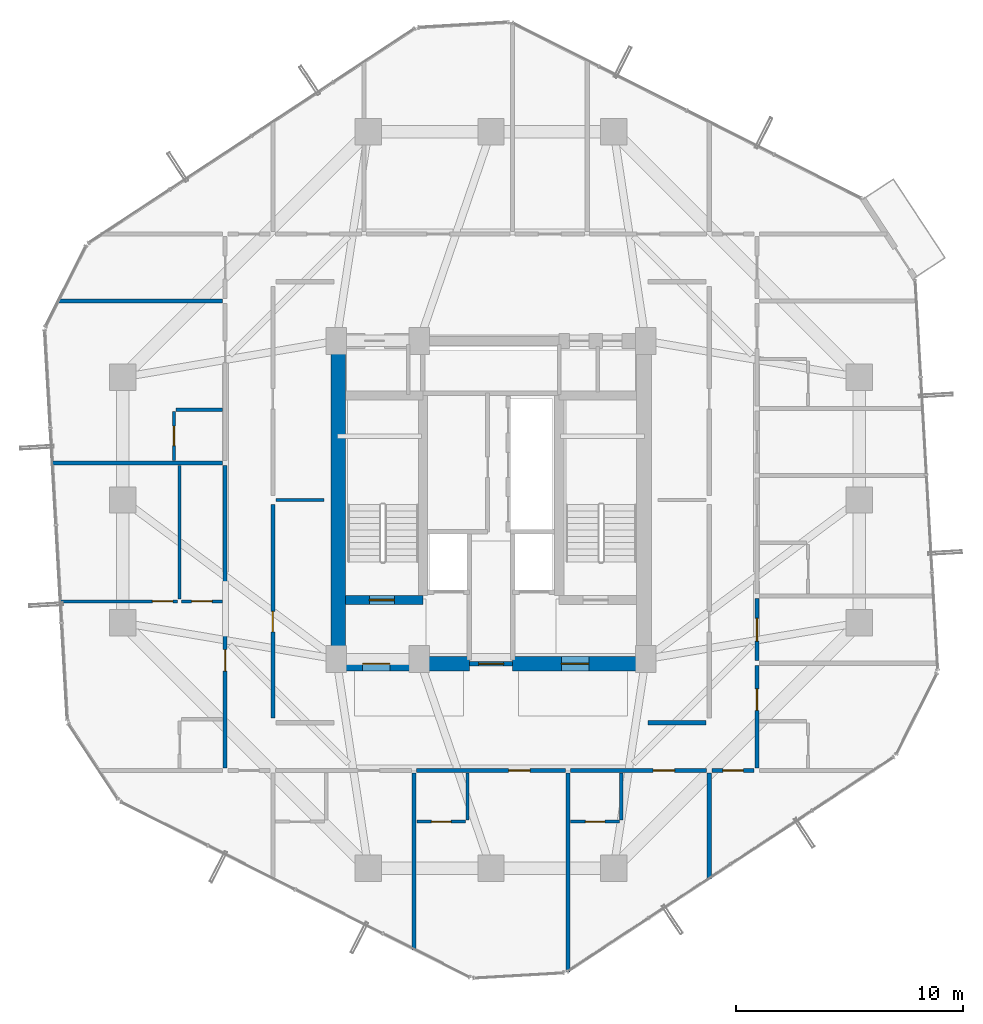
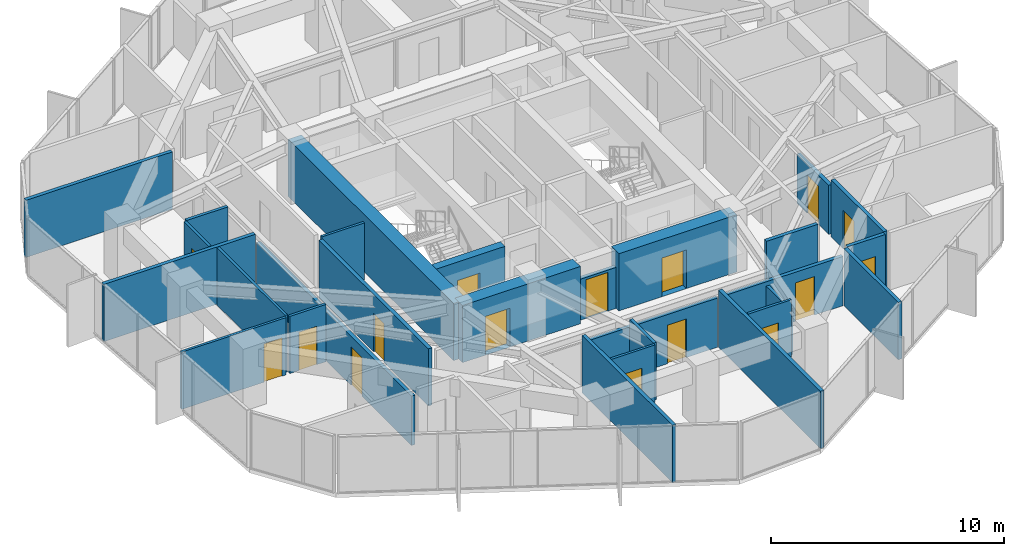
# One storey, part 28 of 33: 28 walls, 16 doors, 16 openings.
"""IFC4 building model written with IfcOpenShell, lengths in metres."""

from ifc_helpers import new_model, si_unit, direction, frame, frame_2d, origin, place, context, subcontext, project, spatial, rectangle, extrude, source, transform, mapped, material, layer, layer_set, type_object, element, fill, save


model = new_model("IFC4")

# Units and contexts
model_context = context("Model", 3, precision=1e-05, world=origin(), true_north=direction((0.0, 1.0)))
body_context = subcontext(model_context, "Body", "Model", "MODEL_VIEW")
ifc_project = project(units=[si_unit("LENGTHUNIT", "METRE"), si_unit("AREAUNIT", "SQUARE_METRE"), si_unit("VOLUMEUNIT", "CUBIC_METRE"), si_unit("PLANEANGLEUNIT", "RADIAN"), si_unit("MASSUNIT", "GRAM", prefix="KILO")], contexts=[model_context])

# Site, building, storey
site_placement = place(None, origin())
site = spatial("IfcSite", under=ifc_project, at=site_placement, CompositionType="ELEMENT")
building_placement = place(site_placement, origin())
building = spatial("IfcBuilding", under=site, at=building_placement, Name="Veraguas Prism Commons", CompositionType="ELEMENT")
storey_placement = place(building_placement, frame((0.0, 0.0, 139.25)))
storey = spatial("IfcBuildingStorey", under=building, at=storey_placement, Name="L39", CompositionType="ELEMENT", Elevation=139.25)

# Wall, opening, door
ifc_material_1 = material(Name="Concrete C50/60", Category="concrete")
ifc_layer_1 = layer(ifc_material_1, 0.39990234375, Name="Clinic and Mid Core Shear Wall RC 400", Category="concrete")
ifc_layer_set_1 = layer_set([ifc_layer_1], Name="Concrete C50/60")
wall_type_1 = type_object("IfcWallType", Name="Clinic and Mid Core Shear Wall RC 400", PredefinedType="SHEAR", material=ifc_layer_set_1)
wall_1_placement = place(storey_placement, frame((17.60009765625, 19.60009765625, 0.0), z_axis=(0.0, 0.0, 1.0), x_axis=(1.0, 0.0, 0.0)))
wall_1 = element("IfcWall", 1, at=wall_1_placement, inside=storey, type_object=wall_type_1, Name="Stair ST-01 South Shear Wall L39", PredefinedType="SHEAR", context=body_context, shape_type="SweptSolid", body=[
    extrude(rectangle(XDim=3.39990234375, YDim=0.39990234375, at=frame_2d((1.699951171875, 0.0))), origin(), (0.0, 0.0, 1.0), 3.0),
])
opening_1_placement = place(wall_1_placement, frame((1.050048828125, 0.0, 0.0)))
opening_1 = element("IfcOpeningElement", 2, at=opening_1_placement, cuts=wall_1, Name="Opening DR-05", PredefinedType="OPENING", context=body_context, shape_type="SweptSolid", body=[
    extrude(rectangle(XDim=1.10009765625, YDim=2.030029296875, at=frame_2d((0.550048828125, 1.01513671875))), frame((0.0, 0.2099609375, 0.0), z_axis=(0.0, -1.0, 0.0), x_axis=(1.0, 0.0, 0.0)), (0.0, 0.0, 1.0), 0.419921875),
])
ifc_material_2 = material(Name="Steel fire-rated door assembly", Category="steel")
door_type_1 = type_object("IfcDoorType", Name="Protected Stair and Refuge Fire Door 1100x2030", OperationType="NOTDEFINED", PredefinedType="DOOR", material=ifc_material_2)
shared_shape_1 = source(origin(), body_context, "Body", "SweptSolid", [
    extrude(rectangle(XDim=1.10009765625, YDim=2.030029296875, at=frame_2d((0.550048828125, 1.01513671875))), frame((0.0, 0.02490234375, 0.0), z_axis=(0.0, -1.0, 0.0), x_axis=(1.0, 0.0, 0.0)), (0.0, 0.0, 1.0), 0.050048828125),
])
door_1_placement = place(opening_1_placement, origin())
door_1 = element("IfcDoor", 3, at=door_1_placement, inside=storey, type_object=door_type_1, Name="Stair ST-01 Enclosure Door L39", OperationType="SINGLE_SWING_RIGHT", OverallHeight=2.030029296875, OverallWidth=1.10009765625, PredefinedType="DOOR", context=body_context, shape_type="MappedRepresentation", body=[
    mapped(shared_shape_1, transform((0.0, 0.0, 0.0), scale=1.0)),
])
fill(opening_1, door_1)

# Wall
ifc_material_3 = material(Name="Concrete C55/67", Category="concrete")
ifc_layer_2 = layer(ifc_material_3, 0.64990234375, Name="Core Outer Shear Wall Mid RC 650", Category="concrete")
ifc_layer_set_2 = layer_set([ifc_layer_2], Name="Concrete C55/67")
wall_type_2 = type_object("IfcWallType", Name="Core Outer Shear Wall Mid RC 650", PredefinedType="SHEAR", material=ifc_layer_set_2)
wall_2_placement = place(storey_placement, frame((17.27490234375, 16.800048828125, 0.0), z_axis=(0.0, 0.0, 1.0), x_axis=(0.0, 1.0, 0.0)))
element("IfcWall", 4, at=wall_2_placement, inside=storey, type_object=wall_type_2, Name="Central Core West Shear Wall L39", PredefinedType="SHEAR", context=body_context, shape_type="SweptSolid", body=[
    extrude(rectangle(XDim=14.199951171875, YDim=0.64990234375, at=frame_2d((7.10009765625, 0.0))), origin(), (0.0, 0.0, 1.0), 3.0),
])

# Wall, opening, door
wall_3_placement = place(storey_placement, frame((17.199951171875, 16.800048828125, 0.0), z_axis=(0.0, 0.0, 1.0), x_axis=(1.0, 0.0, 0.0)))
wall_3 = element("IfcWall", 5, at=wall_3_placement, inside=storey, type_object=wall_type_2, Name="Central Core South-West Shear Wall L39", PredefinedType="SHEAR", context=body_context, shape_type="SweptSolid", body=[
    extrude(rectangle(XDim=5.85009765625, YDim=0.64990234375, at=frame_2d((2.925048828125, 0.0))), origin(), (0.0, 0.0, 1.0), 3.0),
])
opening_2_placement = place(wall_3_placement, frame((1.14990234375, 0.0, 0.0)))
opening_2 = element("IfcOpeningElement", 6, at=opening_2_placement, cuts=wall_3, Name="Opening DR-06", PredefinedType="OPENING", context=body_context, shape_type="SweptSolid", body=[
    extrude(rectangle(XDim=1.199951171875, YDim=2.030029296875, at=frame_2d((0.60009765625, 1.01513671875))), frame((0.0, 0.3349609375, 0.0), z_axis=(0.0, -1.0, 0.0), x_axis=(1.0, 0.0, 0.0)), (0.0, 0.0, 1.0), 0.669921875),
])
door_type_2 = type_object("IfcDoorType", Name="Firefighting Lobby Smoke Door 1200x2030", OperationType="NOTDEFINED", PredefinedType="DOOR", material=ifc_material_2)
shared_shape_2 = source(origin(), body_context, "Body", "SweptSolid", [
    extrude(rectangle(XDim=1.199951171875, YDim=2.030029296875, at=frame_2d((0.60009765625, 1.01513671875))), frame((0.0, 0.02490234375, 0.0), z_axis=(0.0, -1.0, 0.0), x_axis=(1.0, 0.0, 0.0)), (0.0, 0.0, 1.0), 0.050048828125),
])
door_2_placement = place(opening_2_placement, origin())
door_2 = element("IfcDoor", 7, at=door_2_placement, inside=storey, type_object=door_type_2, Name="West FF Lobby Door L39", OperationType="SINGLE_SWING_RIGHT", OverallHeight=2.030029296875, OverallWidth=1.199951171875, PredefinedType="DOOR", context=body_context, shape_type="MappedRepresentation", body=[
    mapped(shared_shape_2, transform((0.0, 0.0, 0.0), scale=1.0)),
])
fill(opening_2, door_2)

wall_4_placement = place(storey_placement, frame((24.949951171875, 16.800048828125, 0.0), z_axis=(0.0, 0.0, 1.0), x_axis=(1.0, 0.0, 0.0)))
wall_4 = element("IfcWall", 8, at=wall_4_placement, inside=storey, type_object=wall_type_2, Name="Central Core South-East Shear Wall L39", PredefinedType="SHEAR", context=body_context, shape_type="SweptSolid", body=[
    extrude(rectangle(XDim=5.85009765625, YDim=0.64990234375, at=frame_2d((2.925048828125, 0.0))), origin(), (0.0, 0.0, 1.0), 3.0),
])
opening_3_placement = place(wall_4_placement, frame((2.14990234375, 0.0, 0.0)))
opening_3 = element("IfcOpeningElement", 9, at=opening_3_placement, cuts=wall_4, Name="Opening DR-06", PredefinedType="OPENING", context=body_context, shape_type="SweptSolid", body=[
    extrude(rectangle(XDim=1.199951171875, YDim=2.030029296875, at=frame_2d((0.60009765625, 1.01513671875))), frame((0.0, 0.3349609375, 0.0), z_axis=(0.0, -1.0, 0.0), x_axis=(1.0, 0.0, 0.0)), (0.0, 0.0, 1.0), 0.669921875),
])
door_3_placement = place(opening_3_placement, origin())
door_3 = element("IfcDoor", 10, at=door_3_placement, inside=storey, type_object=door_type_2, Name="East FF Lobby Door L39", OperationType="SINGLE_SWING_RIGHT", OverallHeight=2.030029296875, OverallWidth=1.199951171875, PredefinedType="DOOR", context=body_context, shape_type="MappedRepresentation", body=[
    mapped(shared_shape_2, transform((0.0, 0.0, 0.0), scale=1.0)),
])
fill(opening_3, door_3)

ifc_material_4 = material(Name="Autoclaved aerated masonry block 10 MPa", Category="masonry")
ifc_layer_3 = layer(ifc_material_4, 0.179931640625, Name="Corridor and Inter-Tenancy Partition 180", Category="masonry")
ifc_layer_set_3 = layer_set([ifc_layer_3], Name="Autoclaved aerated masonry block 10 MPa")
wall_type_3 = type_object("IfcWallType", Name="Corridor and Inter-Tenancy Partition 180", PredefinedType="PARTITIONING", material=ifc_layer_set_3)
wall_5_placement = place(storey_placement, frame((14.39990234375, 14.39990234375, 0.0), z_axis=(0.0, 0.0, 1.0), x_axis=(0.0, 1.0, 0.0)))
wall_5 = element("IfcWall", 11, at=wall_5_placement, inside=storey, type_object=wall_type_3, Name="WL-L39-IRW1", PredefinedType="PARTITIONING", context=body_context, shape_type="SweptSolid", body=[
    extrude(rectangle(XDim=9.400146484375, YDim=0.179931640625, at=frame_2d((4.7001953125, 0.0))), origin(), (0.0, 0.0, 1.0), 3.0),
])
opening_4_placement = place(wall_5_placement, frame((3.800048828125, 0.0, 0.0)))
opening_4 = element("IfcOpeningElement", 12, at=opening_4_placement, cuts=wall_5, Name="Opening DR-14", PredefinedType="OPENING", context=body_context, shape_type="SweptSolid", body=[
    extrude(rectangle(XDim=0.89990234375, YDim=2.010009765625, at=frame_2d((0.449951171875, 1.0048828125))), frame((0.0, 0.099853515625, 0.0), z_axis=(0.0, -1.0, 0.0), x_axis=(1.0, 0.0, 0.0)), (0.0, 0.0, 1.0), 0.199951171875),
])
door_type_3 = type_object("IfcDoorType", Name="Core Service Room Fire Door 900x2010", OperationType="NOTDEFINED", PredefinedType="DOOR", material=ifc_material_2)
shared_shape_3 = source(origin(), body_context, "Body", "SweptSolid", [
    extrude(rectangle(XDim=0.89990234375, YDim=2.010009765625, at=frame_2d((0.449951171875, 1.0048828125))), frame((0.0, 0.02490234375, 0.0), z_axis=(0.0, -1.0, 0.0), x_axis=(1.0, 0.0, 0.0)), (0.0, 0.0, 1.0), 0.050048828125),
])
door_4_placement = place(opening_4_placement, origin())
door_4 = element("IfcDoor", 13, at=door_4_placement, inside=storey, type_object=door_type_3, Name="Residents Quiet Study Pod Door L39", OperationType="SINGLE_SWING_LEFT", OverallHeight=2.010009765625, OverallWidth=0.89990234375, PredefinedType="DOOR", context=body_context, shape_type="MappedRepresentation", body=[
    mapped(shared_shape_3, transform((0.0, 0.0, 0.0), scale=1.0)),
])
fill(opening_4, door_4)

# Walls
wall_6_placement = place(storey_placement, frame((30.89990234375, 14.199951171875, 0.0), z_axis=(0.0, 0.0, 1.0), x_axis=(1.0, 0.0, 0.0)))
element("IfcWall", 14, at=wall_6_placement, inside=storey, type_object=wall_type_3, Name="WL-L39-IRES", PredefinedType="PARTITIONING", context=body_context, shape_type="SweptSolid", body=[
    extrude(rectangle(XDim=2.550048828125, YDim=0.179931640625, at=frame_2d((1.27490234375, 0.0))), origin(), (0.0, 0.0, 1.0), 3.0),
])
wall_7_placement = place(storey_placement, frame((33.60009765625, 11.97998046875, 0.0), z_axis=(0.0, 0.0, 1.0), x_axis=(0.0, -1.0, 0.0)))
element("IfcWall", 15, at=wall_7_placement, inside=storey, type_object=wall_type_3, Name="WL-L39-PT002", PredefinedType="PARTITIONING", context=body_context, shape_type="SweptSolid", body=[
    extrude(rectangle(XDim=4.6611328125, YDim=0.179931640625, at=frame_2d((2.33056640625, 0.0))), origin(), (0.0, 0.0, 1.0), 3.0),
])
wall_8_placement = place(storey_placement, frame((20.615966796875, 11.97998046875, 0.0), z_axis=(0.0, 0.0, 1.0), x_axis=(0.0, -1.0, 0.0)))
element("IfcWall", 16, at=wall_8_placement, inside=storey, type_object=wall_type_3, Name="WL-L39-PT006", PredefinedType="PARTITIONING", context=body_context, shape_type="SweptSolid", body=[
    extrude(rectangle(XDim=7.78125, YDim=0.179931640625, at=frame_2d((3.890625, 0.0))), origin(), (0.0, 0.0, 1.0), 3.0),
])

# Wall, opening, door
wall_9_placement = place(storey_placement, frame((20.72607421875, 12.10009765625, 0.0), z_axis=(0.0, 0.0, 1.0), x_axis=(1.0, 0.0, 0.0)))
wall_9 = element("IfcWall", 17, at=wall_9_placement, inside=storey, type_object=wall_type_3, Name="WL-L39-PT007", PredefinedType="PARTITIONING", context=body_context, shape_type="SweptSolid", body=[
    extrude(rectangle(XDim=6.5478515625, YDim=0.179931640625, at=frame_2d((3.27392578125, 0.0))), origin(), (0.0, 0.0, 1.0), 2.580078125),
])
opening_5_placement = place(wall_9_placement, frame((4.04638671875, 0.0, 0.0)))
opening_5 = element("IfcOpeningElement", 18, at=opening_5_placement, cuts=wall_9, Name="Opening DR-01", PredefinedType="OPENING", context=body_context, shape_type="SweptSolid", body=[
    extrude(rectangle(XDim=0.949951171875, YDim=2.02001953125, at=frame_2d((0.47509765625, 1.010009765625))), frame((0.0, 0.099853515625, 0.0), z_axis=(0.0, -1.0, 0.0), x_axis=(1.0, 0.0, 0.0)), (0.0, 0.0, 1.0), 0.199951171875),
])
ifc_material_5 = material(Name="Anodised aluminium EN AW-6063 T6", Category="aluminium")
door_type_4 = type_object("IfcDoorType", Name="Apartment Entrance Fire Door 950x2020", OperationType="NOTDEFINED", PredefinedType="DOOR", material=ifc_material_5)
shared_shape_4 = source(origin(), body_context, "Body", "SweptSolid", [
    extrude(rectangle(XDim=0.949951171875, YDim=2.02001953125, at=frame_2d((0.47509765625, 1.010009765625))), frame((0.0, 0.02490234375, 0.0), z_axis=(0.0, -1.0, 0.0), x_axis=(1.0, 0.0, 0.0)), (0.0, 0.0, 1.0), 0.050048828125),
])
door_5_placement = place(opening_5_placement, origin())
door_5 = element("IfcDoor", 19, at=door_5_placement, inside=storey, type_object=door_type_4, Name="Studio 39B Entrance Door", OperationType="SINGLE_SWING_LEFT", OverallHeight=2.02001953125, OverallWidth=0.949951171875, PredefinedType="DOOR", context=body_context, shape_type="MappedRepresentation", body=[
    mapped(shared_shape_4, transform((0.0, 0.0, 0.0), scale=1.0)),
])
fill(opening_5, door_5)

# Wall
wall_10_placement = place(storey_placement, frame((27.384033203125, 11.97998046875, 0.0), z_axis=(0.0, 0.0, 1.0), x_axis=(0.0, -1.0, 0.0)))
element("IfcWall", 20, at=wall_10_placement, inside=storey, type_object=wall_type_3, Name="WL-L39-PT010", PredefinedType="PARTITIONING", context=body_context, shape_type="SweptSolid", body=[
    extrude(rectangle(XDim=8.747314453125, YDim=0.179931640625, at=frame_2d((4.37353515625, 0.0))), origin(), (0.0, 0.0, 1.0), 3.0),
])

# Wall, opening, door
wall_11_placement = place(storey_placement, frame((27.493896484375, 12.10009765625, 0.0), z_axis=(0.0, 0.0, 1.0), x_axis=(1.0, 0.0, 0.0)))
wall_11 = element("IfcWall", 21, at=wall_11_placement, inside=storey, type_object=wall_type_3, Name="WL-L39-PT011", PredefinedType="PARTITIONING", context=body_context, shape_type="SweptSolid", body=[
    extrude(rectangle(XDim=5.99609375, YDim=0.179931640625, at=frame_2d((2.998046875, 0.0))), origin(), (0.0, 0.0, 1.0), 2.580078125),
])
opening_6_placement = place(wall_11_placement, frame((3.637939453125, 0.0, 0.0)))
opening_6 = element("IfcOpeningElement", 22, at=opening_6_placement, cuts=wall_11, Name="Opening DR-01", PredefinedType="OPENING", context=body_context, shape_type="SweptSolid", body=[
    extrude(rectangle(XDim=0.949951171875, YDim=2.02001953125, at=frame_2d((0.47509765625, 1.010009765625))), frame((0.0, 0.099853515625, 0.0), z_axis=(0.0, -1.0, 0.0), x_axis=(1.0, 0.0, 0.0)), (0.0, 0.0, 1.0), 0.199951171875),
])
door_6_placement = place(opening_6_placement, origin())
door_6 = element("IfcDoor", 23, at=door_6_placement, inside=storey, type_object=door_type_4, Name="Studio 39C Entrance Door", OperationType="SINGLE_SWING_LEFT", OverallHeight=2.02001953125, OverallWidth=0.949951171875, PredefinedType="DOOR", context=body_context, shape_type="MappedRepresentation", body=[
    mapped(shared_shape_4, transform((0.0, 0.0, 0.0), scale=1.0)),
])
fill(opening_6, door_6)

wall_12_placement = place(storey_placement, frame((12.300048828125, 12.2099609375, 0.0), z_axis=(0.0, 0.0, 1.0), x_axis=(0.0, 1.0, 0.0)))
wall_12 = element("IfcWall", 24, at=wall_12_placement, inside=storey, type_object=wall_type_3, Name="WL-L39-PT025", PredefinedType="PARTITIONING", context=body_context, shape_type="SweptSolid", body=[
    extrude(rectangle(XDim=13.30810546875, YDim=0.179931640625, at=frame_2d((6.654052734375, 0.0))), origin(), (0.0, 0.0, 1.0), 2.580078125),
])
opening_7_placement = place(wall_12_placement, frame((4.260009765625, 0.0, 0.0)))
opening_7 = element("IfcOpeningElement", 25, at=opening_7_placement, cuts=wall_12, Name="Opening DR-01", PredefinedType="OPENING", context=body_context, shape_type="SweptSolid", body=[
    extrude(rectangle(XDim=0.949951171875, YDim=2.02001953125, at=frame_2d((0.47509765625, 1.010009765625))), frame((0.0, 0.099853515625, 0.0), z_axis=(0.0, -1.0, 0.0), x_axis=(1.0, 0.0, 0.0)), (0.0, 0.0, 1.0), 0.199951171875),
])
door_7_placement = place(opening_7_placement, origin())
door_7 = element("IfcDoor", 26, at=door_7_placement, inside=storey, type_object=door_type_4, Name="Flat 39D Entrance Door", OperationType="SINGLE_SWING_LEFT", OverallHeight=2.02001953125, OverallWidth=0.949951171875, PredefinedType="DOOR", context=body_context, shape_type="MappedRepresentation", body=[
    mapped(shared_shape_4, transform((0.0, 0.0, 0.0), scale=1.0)),
])
fill(opening_7, door_7)

# Walls
wall_13_placement = place(storey_placement, frame((12.179931640625, 25.6279296875, 0.0), z_axis=(0.0, 0.0, 1.0), x_axis=(-1.0, 0.0, 0.0)))
element("IfcWall", 27, at=wall_13_placement, inside=storey, type_object=wall_type_3, Name="WL-L39-PT031", PredefinedType="PARTITIONING", context=body_context, shape_type="SweptSolid", body=[
    extrude(rectangle(XDim=7.51904296875, YDim=0.179931640625, at=frame_2d((3.759521484375, 0.0))), origin(), (0.0, 0.0, 1.0), 3.0),
])
wall_14_placement = place(storey_placement, frame((12.179931640625, 32.75, 0.0), z_axis=(0.0, 0.0, 1.0), x_axis=(-1.0, 0.0, 0.0)))
element("IfcWall", 28, at=wall_14_placement, inside=storey, type_object=wall_type_3, Name="WL-L39-PT033", PredefinedType="PARTITIONING", context=body_context, shape_type="SweptSolid", body=[
    extrude(rectangle(XDim=7.26416015625, YDim=0.179931640625, at=frame_2d((3.632080078125, 0.0))), origin(), (0.0, 0.0, 1.0), 3.0),
])

# Wall, opening, door
wall_15_placement = place(storey_placement, frame((35.699951171875, 16.927978515625, 0.0), z_axis=(0.0, 0.0, 1.0), x_axis=(0.0, 1.0, 0.0)))
wall_15 = element("IfcWall", 29, at=wall_15_placement, inside=storey, type_object=wall_type_3, Name="WL-L39-PT039", PredefinedType="PARTITIONING", context=body_context, shape_type="SweptSolid", body=[
    extrude(rectangle(XDim=2.72998046875, YDim=0.179931640625, at=frame_2d((1.364990234375, 0.0))), origin(), (0.0, 0.0, 1.0), 2.580078125),
])
opening_8_placement = place(wall_15_placement, frame((0.864990234375, 0.0, 0.0)))
opening_8 = element("IfcOpeningElement", 30, at=opening_8_placement, cuts=wall_15, Name="Opening DR-13", PredefinedType="OPENING", context=body_context, shape_type="SweptSolid", body=[
    extrude(rectangle(XDim=1.0, YDim=2.010009765625, at=frame_2d((0.5, 1.0048828125))), frame((0.0, 0.099853515625, 0.0), z_axis=(0.0, -1.0, 0.0), x_axis=(1.0, 0.0, 0.0)), (0.0, 0.0, 1.0), 0.199951171875),
])
door_type_5 = type_object("IfcDoorType", Name="Core Accessible WC and Clinic Fire Door 1000x2010", OperationType="NOTDEFINED", PredefinedType="DOOR", material=ifc_material_2)
shared_shape_5 = source(origin(), body_context, "Body", "SweptSolid", [
    extrude(rectangle(XDim=1.0, YDim=2.010009765625, at=frame_2d((0.5, 1.0048828125))), frame((0.0, 0.02490234375, 0.0), z_axis=(0.0, -1.0, 0.0), x_axis=(1.0, 0.0, 0.0)), (0.0, 0.0, 1.0), 0.050048828125),
])
door_8_placement = place(opening_8_placement, origin())
door_8 = element("IfcDoor", 31, at=door_8_placement, inside=storey, type_object=door_type_5, Name="Quiet Study E Door", OperationType="SINGLE_SWING_RIGHT", OverallHeight=2.010009765625, OverallWidth=1.0, PredefinedType="DOOR", context=body_context, shape_type="MappedRepresentation", body=[
    mapped(shared_shape_5, transform((0.0, 0.0, 0.0), scale=1.0)),
])
fill(opening_8, door_8)

wall_16_placement = place(storey_placement, frame((35.699951171875, 12.2099609375, 0.0), z_axis=(0.0, 0.0, 1.0), x_axis=(0.0, 1.0, 0.0)))
wall_16 = element("IfcWall", 32, at=wall_16_placement, inside=storey, type_object=wall_type_3, Name="WL-L39-PT041", PredefinedType="PARTITIONING", context=body_context, shape_type="SweptSolid", body=[
    extrude(rectangle(XDim=4.498046875, YDim=0.179931640625, at=frame_2d((2.2490234375, 0.0))), origin(), (0.0, 0.0, 1.0), 3.0),
])
opening_9_placement = place(wall_16_placement, frame((2.529541015625, 0.0, 0.0)))
opening_9 = element("IfcOpeningElement", 33, at=opening_9_placement, cuts=wall_16, Name="Opening DR-01", PredefinedType="OPENING", context=body_context, shape_type="SweptSolid", body=[
    extrude(rectangle(XDim=0.949951171875, YDim=2.02001953125, at=frame_2d((0.47509765625, 1.010009765625))), frame((0.0, 0.099853515625, 0.0), z_axis=(0.0, -1.0, 0.0), x_axis=(1.0, 0.0, 0.0)), (0.0, 0.0, 1.0), 0.199951171875),
])
door_9_placement = place(opening_9_placement, origin())
door_9 = element("IfcDoor", 34, at=door_9_placement, inside=storey, type_object=door_type_4, Name="Studio 39F Entrance Door", OperationType="SINGLE_SWING_LEFT", OverallHeight=2.02001953125, OverallWidth=0.949951171875, PredefinedType="DOOR", context=body_context, shape_type="MappedRepresentation", body=[
    mapped(shared_shape_4, transform((0.0, 0.0, 0.0), scale=1.0)),
])
fill(opening_9, door_9)

wall_17_placement = place(storey_placement, frame((33.719970703125, 12.10009765625, 0.0), z_axis=(0.0, 0.0, 1.0), x_axis=(1.0, 0.0, 0.0)))
wall_17 = element("IfcWall", 35, at=wall_17_placement, inside=storey, type_object=wall_type_3, Name="WL-L39-PT057", PredefinedType="PARTITIONING", context=body_context, shape_type="SweptSolid", body=[
    extrude(rectangle(XDim=1.860107421875, YDim=0.179931640625, at=frame_2d((0.93017578125, 0.0))), origin(), (0.0, 0.0, 1.0), 3.0),
])
opening_10_placement = place(wall_17_placement, frame((0.47998046875, 0.0, 0.0)))
opening_10 = element("IfcOpeningElement", 36, at=opening_10_placement, cuts=wall_17, Name="Opening DR-14", PredefinedType="OPENING", context=body_context, shape_type="SweptSolid", body=[
    extrude(rectangle(XDim=0.89990234375, YDim=2.010009765625, at=frame_2d((0.449951171875, 1.0048828125))), frame((0.0, 0.099853515625, 0.0), z_axis=(0.0, -1.0, 0.0), x_axis=(1.0, 0.0, 0.0)), (0.0, 0.0, 1.0), 0.199951171875),
])
door_10_placement = place(opening_10_placement, origin())
door_10 = element("IfcDoor", 37, at=door_10_placement, inside=storey, type_object=door_type_3, Name="Corner Study SE Door", OperationType="SINGLE_SWING_RIGHT", OverallHeight=2.010009765625, OverallWidth=0.89990234375, PredefinedType="DOOR", context=body_context, shape_type="MappedRepresentation", body=[
    mapped(shared_shape_3, transform((0.0, 0.0, 0.0), scale=1.0)),
])
fill(opening_10, door_10)

# Wall
ifc_material_6 = material(Name="Lightweight acoustic gypsum board")
ifc_layer_4 = layer(ifc_material_6, 0.125, Name="Internal Apartment Room Partition 125")
ifc_layer_set_4 = layer_set([ifc_layer_4], Name="Lightweight acoustic gypsum board")
wall_type_4 = type_object("IfcWallType", Name="Internal Apartment Room Partition 125", PredefinedType="PARTITIONING", material=ifc_layer_set_4)
wall_18_placement = place(storey_placement, frame((14.550048828125, 24.0, 0.0), z_axis=(0.0, 0.0, 1.0), x_axis=(1.0, 0.0, 0.0)))
element("IfcWall", 38, at=wall_18_placement, inside=storey, type_object=wall_type_4, Name="WL-L39-IRWM", PredefinedType="PARTITIONING", context=body_context, shape_type="SweptSolid", body=[
    extrude(rectangle(XDim=2.099853515625, YDim=0.125, at=frame_2d((1.0498046875, 0.0))), origin(), (0.0, 0.0, 1.0), 3.0),
])

# Wall, opening, door
wall_19_placement = place(storey_placement, frame((20.736083984375, 9.85009765625, 0.0), z_axis=(0.0, 0.0, 1.0), x_axis=(1.0, 0.0, 0.0)))
wall_19 = element("IfcWall", 39, at=wall_19_placement, inside=storey, type_object=wall_type_4, Name="WL-L39-PT009", PredefinedType="PARTITIONING", context=body_context, shape_type="SweptSolid", body=[
    extrude(rectangle(XDim=2.14990234375, YDim=0.125, at=frame_2d((1.074951171875, 0.0))), origin(), (0.0, 0.0, 1.0), 3.0),
])
opening_11_placement = place(wall_19_placement, frame((0.64501953125, 0.0, 0.0)))
opening_11 = element("IfcOpeningElement", 40, at=opening_11_placement, cuts=wall_19, Name="Opening DR-03", PredefinedType="OPENING", context=body_context, shape_type="SweptSolid", body=[
    extrude(rectangle(XDim=0.860107421875, YDim=2.010009765625, at=frame_2d((0.43017578125, 1.0048828125))), frame((0.0, 0.072509765625, 0.0), z_axis=(0.0, -1.0, 0.0), x_axis=(1.0, 0.0, 0.0)), (0.0, 0.0, 1.0), 0.14501953125),
])
ifc_material_7 = material(Name="Timber moisture-resistant leaf", Category="wood")
door_type_6 = type_object("IfcDoorType", Name="Internal Bathroom Door 860x2010", OperationType="NOTDEFINED", PredefinedType="DOOR", material=ifc_material_7)
shared_shape_6 = source(origin(), body_context, "Body", "SweptSolid", [
    extrude(rectangle(XDim=0.860107421875, YDim=2.010009765625, at=frame_2d((0.43017578125, 1.0048828125))), frame((0.0, 0.02490234375, 0.0), z_axis=(0.0, -1.0, 0.0), x_axis=(1.0, 0.0, 0.0)), (0.0, 0.0, 1.0), 0.050048828125),
])
door_11_placement = place(opening_11_placement, origin())
door_11 = element("IfcDoor", 41, at=door_11_placement, inside=storey, type_object=door_type_6, Name="Studio 39B Bathroom Door", OperationType="SINGLE_SWING_RIGHT", OverallHeight=2.010009765625, OverallWidth=0.860107421875, PredefinedType="DOOR", context=body_context, shape_type="MappedRepresentation", body=[
    mapped(shared_shape_6, transform((0.0, 0.0, 0.0), scale=1.0)),
])
fill(opening_11, door_11)

wall_20_placement = place(storey_placement, frame((27.50390625, 9.85009765625, 0.0), z_axis=(0.0, 0.0, 1.0), x_axis=(1.0, 0.0, 0.0)))
wall_20 = element("IfcWall", 42, at=wall_20_placement, inside=storey, type_object=wall_type_4, Name="WL-L39-PT013", PredefinedType="PARTITIONING", context=body_context, shape_type="SweptSolid", body=[
    extrude(rectangle(XDim=2.150146484375, YDim=0.125, at=frame_2d((1.0751953125, 0.0))), origin(), (0.0, 0.0, 1.0), 3.0),
])
opening_12_placement = place(wall_20_placement, frame((0.64501953125, 0.0, 0.0)))
opening_12 = element("IfcOpeningElement", 43, at=opening_12_placement, cuts=wall_20, Name="Opening DR-03", PredefinedType="OPENING", context=body_context, shape_type="SweptSolid", body=[
    extrude(rectangle(XDim=0.860107421875, YDim=2.010009765625, at=frame_2d((0.43017578125, 1.0048828125))), frame((0.0, 0.072509765625, 0.0), z_axis=(0.0, -1.0, 0.0), x_axis=(1.0, 0.0, 0.0)), (0.0, 0.0, 1.0), 0.14501953125),
])
door_12_placement = place(opening_12_placement, origin())
door_12 = element("IfcDoor", 44, at=door_12_placement, inside=storey, type_object=door_type_6, Name="Studio 39C Bathroom Door", OperationType="SINGLE_SWING_RIGHT", OverallHeight=2.010009765625, OverallWidth=0.860107421875, PredefinedType="DOOR", context=body_context, shape_type="MappedRepresentation", body=[
    mapped(shared_shape_6, transform((0.0, 0.0, 0.0), scale=1.0)),
])
fill(opening_12, door_12)

wall_21_placement = place(storey_placement, frame((12.179931640625, 19.5400390625, 0.0), z_axis=(0.0, 0.0, 1.0), x_axis=(-1.0, 0.0, 0.0)))
wall_21 = element("IfcWall", 45, at=wall_21_placement, inside=storey, type_object=wall_type_4, Name="WL-L39-PT028", PredefinedType="PARTITIONING", context=body_context, shape_type="SweptSolid", body=[
    extrude(rectangle(XDim=1.800048828125, YDim=0.125, at=frame_2d((0.89990234375, 0.0))), origin(), (0.0, 0.0, 1.0), 3.0),
])
opening_13_placement = place(wall_21_placement, frame((0.449951171875, 0.0, 0.0)))
opening_13 = element("IfcOpeningElement", 46, at=opening_13_placement, cuts=wall_21, Name="Opening DR-02", PredefinedType="OPENING", context=body_context, shape_type="SweptSolid", body=[
    extrude(rectangle(XDim=0.89990234375, YDim=2.010009765625, at=frame_2d((0.449951171875, 1.0048828125))), frame((0.0, 0.072509765625, 0.0), z_axis=(0.0, -1.0, 0.0), x_axis=(1.0, 0.0, 0.0)), (0.0, 0.0, 1.0), 0.14501953125),
])
ifc_material_8 = material(Name="Timber solid core hardwood", Category="wood")
door_type_7 = type_object("IfcDoorType", Name="Internal Habitable Room Door 900x2010", OperationType="NOTDEFINED", PredefinedType="DOOR", material=ifc_material_8)
door_13_placement = place(opening_13_placement, origin())
door_13 = element("IfcDoor", 47, at=door_13_placement, inside=storey, type_object=door_type_7, Name="Flat 39D Kitchen Door", OperationType="SINGLE_SWING_LEFT", OverallHeight=2.010009765625, OverallWidth=0.89990234375, PredefinedType="DOOR", context=body_context, shape_type="MappedRepresentation", body=[
    mapped(shared_shape_3, transform((0.0, 0.0, 0.0), scale=1.0)),
])
fill(opening_13, door_13)

# Wall
wall_22_placement = place(storey_placement, frame((10.300048828125, 19.639892578125, 0.0), z_axis=(0.0, 0.0, 1.0), x_axis=(0.0, 1.0, 0.0)))
element("IfcWall", 48, at=wall_22_placement, inside=storey, type_object=wall_type_4, Name="WL-L39-PT029", PredefinedType="PARTITIONING", context=body_context, shape_type="SweptSolid", body=[
    extrude(rectangle(XDim=5.8681640625, YDim=0.125, at=frame_2d((2.93408203125, 0.0))), origin(), (0.0, 0.0, 1.0), 3.0),
])

# Wall, opening, door
wall_23_placement = place(storey_placement, frame((10.199951171875, 19.5400390625, 0.0), z_axis=(0.0, 0.0, 1.0), x_axis=(-1.0, 0.0, 0.0)))
wall_23 = element("IfcWall", 49, at=wall_23_placement, inside=storey, type_object=wall_type_4, Name="WL-L39-PT030", PredefinedType="PARTITIONING", context=body_context, shape_type="SweptSolid", body=[
    extrude(rectangle(XDim=5.18603515625, YDim=0.125, at=frame_2d((2.593017578125, 0.0))), origin(), (0.0, 0.0, 1.0), 3.0),
])
opening_14_placement = place(wall_23_placement, frame((0.199951171875, 0.0, 0.0)))
opening_14 = element("IfcOpeningElement", 50, at=opening_14_placement, cuts=wall_23, Name="Opening DR-02", PredefinedType="OPENING", context=body_context, shape_type="SweptSolid", body=[
    extrude(rectangle(XDim=0.89990234375, YDim=2.010009765625, at=frame_2d((0.449951171875, 1.0048828125))), frame((0.0, 0.072509765625, 0.0), z_axis=(0.0, -1.0, 0.0), x_axis=(1.0, 0.0, 0.0)), (0.0, 0.0, 1.0), 0.14501953125),
])
door_14_placement = place(opening_14_placement, origin())
door_14 = element("IfcDoor", 51, at=door_14_placement, inside=storey, type_object=door_type_7, Name="Flat 39D Bedroom 1 Door", OperationType="SINGLE_SWING_RIGHT", OverallHeight=2.010009765625, OverallWidth=0.89990234375, PredefinedType="DOOR", context=body_context, shape_type="MappedRepresentation", body=[
    mapped(shared_shape_3, transform((0.0, 0.0, 0.0), scale=1.0)),
])
fill(opening_14, door_14)

wall_24_placement = place(storey_placement, frame((10.050048828125, 25.748046875, 0.0), z_axis=(0.0, 0.0, 1.0), x_axis=(0.0, 1.0, 0.0)))
wall_24 = element("IfcWall", 52, at=wall_24_placement, inside=storey, type_object=wall_type_4, Name="WL-L39-PT036", PredefinedType="PARTITIONING", context=body_context, shape_type="SweptSolid", body=[
    extrude(rectangle(XDim=2.14990234375, YDim=0.125, at=frame_2d((1.074951171875, 0.0))), origin(), (0.0, 0.0, 1.0), 3.0),
])
opening_15_placement = place(wall_24_placement, frame((0.64501953125, 0.0, 0.0)))
opening_15 = element("IfcOpeningElement", 53, at=opening_15_placement, cuts=wall_24, Name="Opening DR-03", PredefinedType="OPENING", context=body_context, shape_type="SweptSolid", body=[
    extrude(rectangle(XDim=0.860107421875, YDim=2.010009765625, at=frame_2d((0.43017578125, 1.0048828125))), frame((0.0, 0.072509765625, 0.0), z_axis=(0.0, -1.0, 0.0), x_axis=(1.0, 0.0, 0.0)), (0.0, 0.0, 1.0), 0.14501953125),
])
door_15_placement = place(opening_15_placement, origin())
door_15 = element("IfcDoor", 54, at=door_15_placement, inside=storey, type_object=door_type_6, Name="Studio 39E Bathroom Door", OperationType="SINGLE_SWING_LEFT", OverallHeight=2.010009765625, OverallWidth=0.860107421875, PredefinedType="DOOR", context=body_context, shape_type="MappedRepresentation", body=[
    mapped(shared_shape_6, transform((0.0, 0.0, 0.0), scale=1.0)),
])
fill(opening_15, door_15)

ifc_layer_5 = layer(ifc_material_4, 0.199951171875, Name="Rated Shaft and Lobby Block Wall 200", Category="masonry")
ifc_layer_set_5 = layer_set([ifc_layer_5], Name="Autoclaved aerated masonry block 10 MPa")
wall_type_5 = type_object("IfcWallType", Name="Rated Shaft and Lobby Block Wall 200", PredefinedType="SOLIDWALL", material=ifc_layer_set_5)
wall_25_placement = place(storey_placement, frame((23.050048828125, 16.800048828125, 0.0), z_axis=(0.0, 0.0, 1.0), x_axis=(1.0, 0.0, 0.0)))
wall_25 = element("IfcWall", 55, at=wall_25_placement, inside=storey, type_object=wall_type_5, Name="Central Core Lobby Entrance Wall L39", PredefinedType="SOLIDWALL", context=body_context, shape_type="SweptSolid", body=[
    extrude(rectangle(XDim=1.89990234375, YDim=0.199951171875, at=frame_2d((0.949951171875, 0.0))), origin(), (0.0, 0.0, 1.0), 2.14990234375),
])
opening_16_placement = place(wall_25_placement, frame((0.39990234375, 0.0, 0.0)))
opening_16 = element("IfcOpeningElement", 56, at=opening_16_placement, cuts=wall_25, Name="Opening DR-05", PredefinedType="OPENING", context=body_context, shape_type="SweptSolid", body=[
    extrude(rectangle(XDim=1.10009765625, YDim=2.030029296875, at=frame_2d((0.550048828125, 1.01513671875))), frame((0.0, 0.10986328125, 0.0), z_axis=(0.0, -1.0, 0.0), x_axis=(1.0, 0.0, 0.0)), (0.0, 0.0, 1.0), 0.219970703125),
])
door_16_placement = place(opening_16_placement, origin())
door_16 = element("IfcDoor", 57, at=door_16_placement, inside=storey, type_object=door_type_1, Name="Central Lobby Door L39", OperationType="SINGLE_SWING_LEFT", OverallHeight=2.030029296875, OverallWidth=1.10009765625, PredefinedType="DOOR", context=body_context, shape_type="MappedRepresentation", body=[
    mapped(shared_shape_1, transform((0.0, 0.0, 0.0), scale=1.0)),
])
fill(opening_16, door_16)

# Walls
ifc_layer_6 = layer(ifc_material_6, 0.14990234375, Name="Wet Room and Clinic Acoustic Partition 150")
ifc_layer_set_6 = layer_set([ifc_layer_6], Name="Lightweight acoustic gypsum board")
wall_type_6 = type_object("IfcWallType", Name="Wet Room and Clinic Acoustic Partition 150", PredefinedType="PARTITIONING", material=ifc_layer_set_6)
wall_26_placement = place(storey_placement, frame((22.966064453125, 11.97998046875, 0.0), z_axis=(0.0, 0.0, 1.0), x_axis=(0.0, -1.0, 0.0)))
element("IfcWall", 58, at=wall_26_placement, inside=storey, type_object=wall_type_6, Name="WL-L39-PT008", PredefinedType="PARTITIONING", context=body_context, shape_type="SweptSolid", body=[
    extrude(rectangle(XDim=2.050048828125, YDim=0.14990234375, at=frame_2d((1.02490234375, 0.0))), origin(), (0.0, 0.0, 1.0), 3.0),
])
wall_27_placement = place(storey_placement, frame((29.73388671875, 11.97998046875, 0.0), z_axis=(0.0, 0.0, 1.0), x_axis=(0.0, -1.0, 0.0)))
element("IfcWall", 59, at=wall_27_placement, inside=storey, type_object=wall_type_6, Name="WL-L39-PT012", PredefinedType="PARTITIONING", context=body_context, shape_type="SweptSolid", body=[
    extrude(rectangle(XDim=2.050048828125, YDim=0.14990234375, at=frame_2d((1.02490234375, 0.0))), origin(), (0.0, 0.0, 1.0), 2.3779296875),
])
wall_28_placement = place(storey_placement, frame((12.179931640625, 27.97802734375, 0.0), z_axis=(0.0, 0.0, 1.0), x_axis=(-1.0, 0.0, 0.0)))
element("IfcWall", 60, at=wall_28_placement, inside=storey, type_object=wall_type_6, Name="WL-L39-PT035", PredefinedType="PARTITIONING", context=body_context, shape_type="SweptSolid", body=[
    extrude(rectangle(XDim=2.050048828125, YDim=0.14990234375, at=frame_2d((1.02490234375, 0.0))), origin(), (0.0, 0.0, 1.0), 3.0),
])

save(model, "model.ifc")
